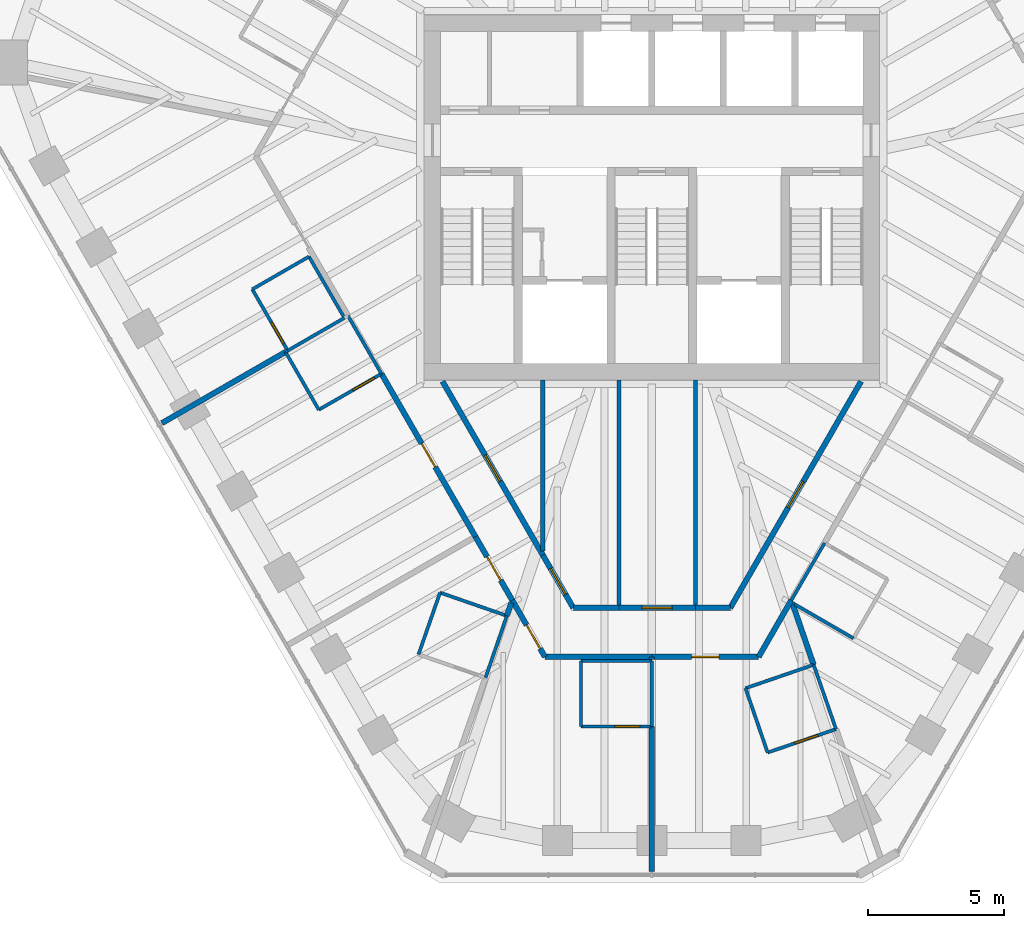
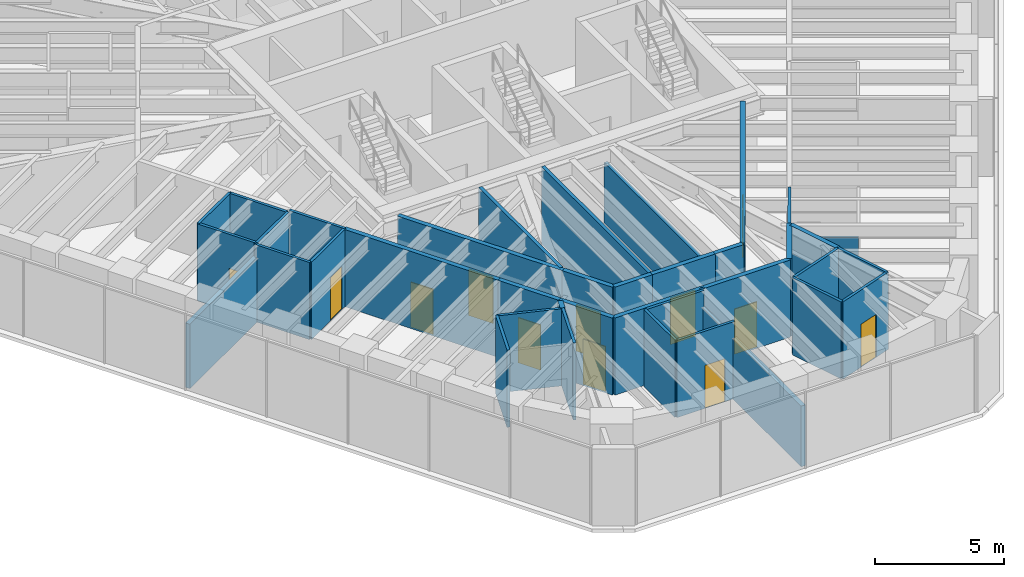
# One storey, part 9 of 14: 41 walls, 12 doors, 12 openings.
"""IFC4 building model written with IfcOpenShell, lengths in metres."""

from ifc_helpers import new_model, si_unit, direction, frame, frame_2d, origin, place, context, subcontext, project, spatial, rectangle, extrude, material, layer, layer_set, type_object, element, fill, save


model = new_model("IFC4")

# Units and contexts
model_context = context("Model", 3, precision=1e-05, world=origin(), true_north=direction((0.0, 1.0)))
body_context = subcontext(model_context, "Body", "Model", "MODEL_VIEW")
ifc_project = project(units=[si_unit("LENGTHUNIT", "METRE"), si_unit("AREAUNIT", "SQUARE_METRE"), si_unit("VOLUMEUNIT", "CUBIC_METRE"), si_unit("PLANEANGLEUNIT", "RADIAN"), si_unit("MASSUNIT", "GRAM", prefix="KILO")], contexts=[model_context])

# Site, building, storey
site_placement = place(None, origin())
site = spatial("IfcSite", under=ifc_project, at=site_placement, CompositionType="ELEMENT")
building_placement = place(site_placement, origin())
building = spatial("IfcBuilding", under=site, at=building_placement, Name="Sandreach Pilgrim Tower", CompositionType="ELEMENT")
storey_placement = place(building_placement, frame((0.0, 0.0, 276.0)))
storey = spatial("IfcBuildingStorey", under=building, at=storey_placement, Name="L69", CompositionType="ELEMENT", Elevation=276.0)

# Walls
ifc_material_1 = material(Name="Gypsum board on steel studs", Category="steel")
ifc_layer_1 = layer(ifc_material_1, 0.14990234375)
ifc_layer_set_1 = layer_set([ifc_layer_1], Name="Back of house wall 150")
wall_type_1 = type_object("IfcWallType", Name="Back of house wall 150", PredefinedType="PARTITIONING", material=ifc_layer_set_1)
wall_1_placement = place(storey_placement, frame((-4.0, -6.699951171875, 0.0), z_axis=(0.0, 0.0, 1.0), x_axis=(0.0, -1.0, 0.0)))
element("IfcWall", 1, at=wall_1_placement, inside=storey, type_object=wall_type_1, Name="Back of house wall L69-047", PredefinedType="PARTITIONING", context=body_context, shape_type="SweptSolid", body=[
    extrude(rectangle(XDim=6.26513671875, YDim=0.14990234375, at=frame_2d((3.132568359375, 0.0))), origin(), (0.0, 0.0, 1.0), 3.639892578125),
])
wall_2_placement = place(storey_placement, frame((-1.199951171875, -6.699951171875, 0.0), z_axis=(0.0, 0.0, 1.0), x_axis=(0.0, -1.0, 0.0)))
element("IfcWall", 2, at=wall_2_placement, inside=storey, type_object=wall_type_1, Name="Back of house wall L69-053", PredefinedType="PARTITIONING", context=body_context, shape_type="SweptSolid", body=[
    extrude(rectangle(XDim=8.360107421875, YDim=0.14990234375, at=frame_2d((4.18017578125, 0.0))), origin(), (0.0, 0.0, 1.0), 3.639892578125),
])
wall_3_placement = place(storey_placement, frame((1.60009765625, -6.699951171875, 0.0), z_axis=(0.0, 0.0, 1.0), x_axis=(0.0, -1.0, 0.0)))
element("IfcWall", 3, at=wall_3_placement, inside=storey, type_object=wall_type_1, Name="Back of house wall L69-061", PredefinedType="PARTITIONING", context=body_context, shape_type="SweptSolid", body=[
    extrude(rectangle(XDim=8.360107421875, YDim=0.14990234375, at=frame_2d((4.18017578125, 0.0))), origin(), (0.0, 0.0, 1.0), 2.860107421875),
])

# Wall, opening, door
ifc_material_2 = material(Name="Moisture-resistant gypsum board on steel studs", Category="steel")
ifc_layer_2 = layer(ifc_material_2, 0.1201171875)
ifc_layer_set_2 = layer_set([ifc_layer_2], Name="Bathroom partition 120")
wall_type_2 = type_object("IfcWallType", Name="Bathroom partition 120", PredefinedType="PARTITIONING", material=ifc_layer_set_2)
wall_4_placement = place(storey_placement, frame((-14.659912109375, -3.3701171875, 0.0), z_axis=(0.0, 0.0, 1.0), x_axis=(0.500291685314, -0.865856933682, 0.0)))
wall_4 = element("IfcWall", 4, at=wall_4_placement, inside=storey, type_object=wall_type_2, Name="Bathroom partition L69-005", PredefinedType="PARTITIONING", context=body_context, shape_type="SweptSolid", body=[
    extrude(rectangle(XDim=2.5986328125, YDim=0.1201171875, at=frame_2d((1.29931640625, 0.0))), origin(), (0.0, 0.0, 1.0), 3.639892578125),
])
opening_1_placement = place(wall_4_placement, frame((1.398681640625, 0.0, 0.0)))
opening_1 = element("IfcOpeningElement", 5, at=opening_1_placement, cuts=wall_4, Name="Opening D09-14B", PredefinedType="OPENING", context=body_context, shape_type="SweptSolid", body=[
    extrude(rectangle(XDim=0.89990234375, YDim=2.030029296875, at=frame_2d((0.449951171875, 1.01513671875))), frame((0.0, 0.06005859375, 0.0), z_axis=(0.0, -1.0, 0.0), x_axis=(1.0, 0.0, 0.0)), (0.0, 0.0, 1.0), 0.1201171875),
])
ifc_material_3 = material(Name="Timber door, steel frame", Category="steel")
door_type_1 = type_object("IfcDoorType", Name="Bathroom door", OperationType="SINGLE_SWING_LEFT", PredefinedType="DOOR", material=ifc_material_3)
door_1_placement = place(opening_1_placement, origin())
door_1 = element("IfcDoor", 6, at=door_1_placement, inside=storey, type_object=door_type_1, Name="Door 6914B", OperationType="SINGLE_SWING_RIGHT", OverallHeight=2.030029296875, OverallWidth=0.89990234375, PredefinedType="DOOR", context=body_context, shape_type="SweptSolid", body=[
    extrude(rectangle(XDim=0.89990234375, YDim=2.030029296875, at=frame_2d((0.449951171875, 1.01513671875))), frame((0.0, 0.02490234375, 0.0), z_axis=(0.0, -1.0, 0.0), x_axis=(1.0, 0.0, 0.0)), (0.0, 0.0, 1.0), 0.050048828125),
])
fill(opening_1, door_1)

# Walls
wall_5_placement = place(storey_placement, frame((-13.43994140625, -5.669921875, 0.0), z_axis=(0.0, 0.0, 1.0), x_axis=(0.865840118177, 0.500320786851, 0.0)))
element("IfcWall", 7, at=wall_5_placement, inside=storey, type_object=wall_type_2, Name="Bathroom partition L69-012", PredefinedType="PARTITIONING", context=body_context, shape_type="SweptSolid", body=[
    extrude(rectangle(XDim=0.09423828125, YDim=0.1201171875, at=frame_2d((0.047119140625, 0.0))), origin(), (0.0, 0.0, 1.0), 3.639892578125),
])
wall_6_placement = place(storey_placement, frame((-13.43994140625, -5.669921875, 0.0), z_axis=(0.0, 0.0, 1.0), x_axis=(0.498748634132, -0.866746675766, 0.0)))
element("IfcWall", 8, at=wall_6_placement, inside=storey, type_object=wall_type_2, Name="Bathroom partition L69-013", PredefinedType="PARTITIONING", context=body_context, shape_type="SweptSolid", body=[
    extrude(rectangle(XDim=2.446044921875, YDim=0.1201171875, at=frame_2d((1.22314453125, 0.0))), origin(), (0.0, 0.0, 1.0), 3.639892578125),
])
for number, where, z_axis, x_axis, name in (
    (9, (-13.35986328125, -5.619873046875, 0.0), (0.0, 0.0, 1.0), (0.866177122335, 0.499737123639, 0.0), "Bathroom partition L69-015"),
    (10, (-12.580078125, -2.169921875, 0.0), (0.0, 0.0, 1.0), (-0.866177122335, -0.499737123639, 0.0), "Bathroom partition L69-018"),
):
    element("IfcWall", number, at=place(storey_placement, frame(where, z_axis=z_axis, x_axis=x_axis)), inside=storey, type_object=wall_type_2, Name=name, PredefinedType="PARTITIONING", context=body_context, shape_type="SweptSolid", body=[
        extrude(rectangle(XDim=2.401123046875, YDim=0.1201171875, at=frame_2d((1.20068359375, 0.0))), origin(), (0.0, 0.0, 1.0), 3.639892578125),
    ])

# Wall, opening, door
wall_7_placement = place(storey_placement, frame((-12.219970703125, -7.7900390625, 0.0), z_axis=(0.0, 0.0, 1.0), x_axis=(0.867306827682, 0.497773911185, 0.0)))
wall_7 = element("IfcWall", 11, at=wall_7_placement, inside=storey, type_object=wall_type_2, Name="Bathroom partition L69-021", PredefinedType="PARTITIONING", context=body_context, shape_type="SweptSolid", body=[
    extrude(rectangle(XDim=2.65185546875, YDim=0.1201171875, at=frame_2d((1.325927734375, 0.0))), origin(), (0.0, 0.0, 1.0), 3.639892578125),
])
opening_2_placement = place(wall_7_placement, frame((1.451904296875, 0.0, 0.0)))
opening_2 = element("IfcOpeningElement", 12, at=opening_2_placement, cuts=wall_7, Name="Opening D09-13B", PredefinedType="OPENING", context=body_context, shape_type="SweptSolid", body=[
    extrude(rectangle(XDim=0.89990234375, YDim=2.030029296875, at=frame_2d((0.449951171875, 1.01513671875))), frame((0.0, 0.06005859375, 0.0), z_axis=(0.0, -1.0, 0.0), x_axis=(1.0, 0.0, 0.0)), (0.0, 0.0, 1.0), 0.1201171875),
])
door_2_placement = place(opening_2_placement, origin())
door_2 = element("IfcDoor", 13, at=door_2_placement, inside=storey, type_object=door_type_1, Name="Door 6913B", OperationType="SINGLE_SWING_RIGHT", OverallHeight=2.030029296875, OverallWidth=0.89990234375, PredefinedType="DOOR", context=body_context, shape_type="SweptSolid", body=[
    extrude(rectangle(XDim=0.89990234375, YDim=2.030029296875, at=frame_2d((0.449951171875, 1.01513671875))), frame((0.0, 0.02490234375, 0.0), z_axis=(0.0, -1.0, 0.0), x_axis=(1.0, 0.0, 0.0)), (0.0, 0.0, 1.0), 0.050048828125),
])
fill(opening_2, door_2)

# Walls
wall_8_placement = place(storey_placement, frame((-11.280029296875, -4.419921875, 0.0), z_axis=(0.0, 0.0, 1.0), x_axis=(-0.500291685314, 0.865856933682, 0.0)))
element("IfcWall", 14, at=wall_8_placement, inside=storey, type_object=wall_type_2, Name="Bathroom partition L69-023", PredefinedType="PARTITIONING", context=body_context, shape_type="SweptSolid", body=[
    extrude(rectangle(XDim=2.5986328125, YDim=0.1201171875, at=frame_2d((1.29931640625, 0.0))), origin(), (0.0, 0.0, 1.0), 3.639892578125),
])
wall_9_placement = place(storey_placement, frame((-11.14990234375, -4.340087890625, 0.0), z_axis=(0.0, 0.0, 1.0), x_axis=(0.500089055364, -0.86597398154, 0.0)))
element("IfcWall", 15, at=wall_9_placement, inside=storey, type_object=wall_type_2, Name="Bathroom partition L69-026", PredefinedType="PARTITIONING", context=body_context, shape_type="SweptSolid", body=[
    extrude(rectangle(XDim=2.45947265625, YDim=0.1201171875, at=frame_2d((1.229736328125, 0.0))), origin(), (0.0, 0.0, 1.0), 3.639892578125),
])
wall_10_placement = place(storey_placement, frame((-7.77001953125, -14.5, 0.0), z_axis=(0.0, 0.0, 1.0), x_axis=(-0.328693963496, -0.944436487203, 0.0)))
element("IfcWall", 16, at=wall_10_placement, inside=storey, type_object=wall_type_2, Name="Bathroom partition L69-034", PredefinedType="PARTITIONING", context=body_context, shape_type="SweptSolid", body=[
    extrude(rectangle(XDim=2.403564453125, YDim=0.1201171875, at=frame_2d((1.20166015625, 0.0))), origin(), (0.0, 0.0, 1.0), 3.639892578125),
])
wall_11_placement = place(storey_placement, frame((-6.10009765625, -17.6201171875, 0.0), z_axis=(0.0, 0.0, 1.0), x_axis=(0.325457785204, 0.945556571576, 0.0)))
element("IfcWall", 17, at=wall_11_placement, inside=storey, type_object=wall_type_2, Name="Bathroom partition L69-036", PredefinedType="PARTITIONING", context=body_context, shape_type="SweptSolid", body=[
    extrude(rectangle(XDim=2.400390625, YDim=0.1201171875, at=frame_2d((1.2001953125, 0.0))), origin(), (0.0, 0.0, 1.0), 3.639892578125),
])
wall_12_placement = place(storey_placement, frame((-5.320068359375, -15.35009765625, 0.0), z_axis=(0.0, 0.0, 1.0), x_axis=(-0.944742926852, 0.327812144624, 0.0)))
element("IfcWall", 18, at=wall_12_placement, inside=storey, type_object=wall_type_2, Name="Bathroom partition L69-043", PredefinedType="PARTITIONING", context=body_context, shape_type="SweptSolid", body=[
    extrude(rectangle(XDim=2.59326171875, YDim=0.1201171875, at=frame_2d((1.296630859375, 0.0))), origin(), (0.0, 0.0, 1.0), 3.639892578125),
])

# Wall, opening, door
wall_13_placement = place(storey_placement, frame((-2.60009765625, -19.409912109375, 0.0), z_axis=(0.0, 0.0, 1.0), x_axis=(1.0, 0.0, 0.0)))
wall_13 = element("IfcWall", 19, at=wall_13_placement, inside=storey, type_object=wall_type_2, Name="Bathroom partition L69-050", PredefinedType="PARTITIONING", context=body_context, shape_type="SweptSolid", body=[
    extrude(rectangle(XDim=2.60009765625, YDim=0.1201171875, at=frame_2d((1.300048828125, 0.0))), origin(), (0.0, 0.0, 1.0), 3.639892578125),
])
opening_3_placement = place(wall_13_placement, frame((1.25, 0.0, 0.0)))
opening_3 = element("IfcOpeningElement", 20, at=opening_3_placement, cuts=wall_13, Name="Opening D09-11B", PredefinedType="OPENING", context=body_context, shape_type="SweptSolid", body=[
    extrude(rectangle(XDim=0.89990234375, YDim=2.030029296875, at=frame_2d((0.449951171875, 1.01513671875))), frame((0.0, 0.06005859375, 0.0), z_axis=(0.0, -1.0, 0.0), x_axis=(1.0, 0.0, 0.0)), (0.0, 0.0, 1.0), 0.1201171875),
])
door_3_placement = place(opening_3_placement, origin())
door_3 = element("IfcDoor", 21, at=door_3_placement, inside=storey, type_object=door_type_1, Name="Door 6911B", OperationType="SINGLE_SWING_RIGHT", OverallHeight=2.030029296875, OverallWidth=0.89990234375, PredefinedType="DOOR", context=body_context, shape_type="SweptSolid", body=[
    extrude(rectangle(XDim=0.89990234375, YDim=2.030029296875, at=frame_2d((0.449951171875, 1.01513671875))), frame((0.0, 0.02490234375, 0.0), z_axis=(0.0, -1.0, 0.0), x_axis=(1.0, 0.0, 0.0)), (0.0, 0.0, 1.0), 0.050048828125),
])
fill(opening_3, door_3)

# Walls
wall_14_placement = place(storey_placement, frame((-2.60009765625, -17.010009765625, 0.0), z_axis=(0.0, 0.0, 1.0), x_axis=(0.0, -1.0, 0.0)))
element("IfcWall", 22, at=wall_14_placement, inside=storey, type_object=wall_type_2, Name="Bathroom partition L69-051", PredefinedType="PARTITIONING", context=body_context, shape_type="SweptSolid", body=[
    extrude(rectangle(XDim=2.39990234375, YDim=0.1201171875, at=frame_2d((1.199951171875, 0.0))), origin(), (0.0, 0.0, 1.0), 3.639892578125),
])
wall_15_placement = place(storey_placement, frame((0.0, -19.409912109375, 0.0), z_axis=(0.0, 0.0, 1.0), x_axis=(0.0, 1.0, 0.0)))
element("IfcWall", 23, at=wall_15_placement, inside=storey, type_object=wall_type_2, Name="Bathroom partition L69-056", PredefinedType="PARTITIONING", context=body_context, shape_type="SweptSolid", body=[
    extrude(rectangle(XDim=2.39990234375, YDim=0.1201171875, at=frame_2d((1.199951171875, 0.0))), origin(), (0.0, 0.0, 1.0), 2.860107421875),
])
wall_16_placement = place(storey_placement, frame((0.0, -17.010009765625, 0.0), z_axis=(0.0, 0.0, 1.0), x_axis=(-1.0, 0.0, 0.0)))
element("IfcWall", 24, at=wall_16_placement, inside=storey, type_object=wall_type_2, Name="Bathroom partition L69-057", PredefinedType="PARTITIONING", context=body_context, shape_type="SweptSolid", body=[
    extrude(rectangle(XDim=2.60009765625, YDim=0.1201171875, at=frame_2d((1.300048828125, 0.0))), origin(), (0.0, 0.0, 1.0), 3.639892578125),
])
wall_17_placement = place(storey_placement, frame((3.43994140625, -18.010009765625, 0.0), z_axis=(0.0, 0.0, 1.0), x_axis=(0.324669532971, -0.945827518293, 0.0)))
element("IfcWall", 25, at=wall_17_placement, inside=storey, type_object=wall_type_2, Name="Bathroom partition L69-067", PredefinedType="PARTITIONING", context=body_context, shape_type="SweptSolid", body=[
    extrude(rectangle(XDim=2.4951171875, YDim=0.1201171875, at=frame_2d((1.24755859375, 0.0))), origin(), (0.0, 0.0, 1.0), 3.639892578125),
])

# Wall, opening, door
wall_18_placement = place(storey_placement, frame((4.25, -20.3701171875, 0.0), z_axis=(0.0, 0.0, 1.0), x_axis=(0.945999971947, 0.324166705687, 0.0)))
wall_18 = element("IfcWall", 26, at=wall_18_placement, inside=storey, type_object=wall_type_2, Name="Bathroom partition L69-069", PredefinedType="PARTITIONING", context=body_context, shape_type="SweptSolid", body=[
    extrude(rectangle(XDim=2.6533203125, YDim=0.1201171875, at=frame_2d((1.32666015625, 0.0))), origin(), (0.0, 0.0, 1.0), 3.639892578125),
])
opening_4_placement = place(wall_18_placement, frame((1.050048828125, 0.0, 0.0)))
opening_4 = element("IfcOpeningElement", 27, at=opening_4_placement, cuts=wall_18, Name="Opening D09-10B", PredefinedType="OPENING", context=body_context, shape_type="SweptSolid", body=[
    extrude(rectangle(XDim=0.89990234375, YDim=2.030029296875, at=frame_2d((0.449951171875, 1.01513671875))), frame((0.0, 0.06005859375, 0.0), z_axis=(0.0, -1.0, 0.0), x_axis=(1.0, 0.0, 0.0)), (0.0, 0.0, 1.0), 0.1201171875),
])
door_4_placement = place(opening_4_placement, origin())
door_4 = element("IfcDoor", 28, at=door_4_placement, inside=storey, type_object=door_type_1, Name="Door 6910B", OperationType="SINGLE_SWING_RIGHT", OverallHeight=2.030029296875, OverallWidth=0.89990234375, PredefinedType="DOOR", context=body_context, shape_type="SweptSolid", body=[
    extrude(rectangle(XDim=0.89990234375, YDim=2.030029296875, at=frame_2d((0.449951171875, 1.01513671875))), frame((0.0, 0.02490234375, 0.0), z_axis=(0.0, -1.0, 0.0), x_axis=(1.0, 0.0, 0.0)), (0.0, 0.0, 1.0), 0.050048828125),
])
fill(opening_4, door_4)

# Walls
wall_19_placement = place(storey_placement, frame((5.1201171875, -14.780029296875, 0.0), z_axis=(0.0, 0.0, 1.0), x_axis=(0.502307685327, 0.86468895521, 0.0)))
element("IfcWall", 29, at=wall_19_placement, inside=storey, type_object=wall_type_2, Name="Bathroom partition L69-072", PredefinedType="PARTITIONING", context=body_context, shape_type="SweptSolid", body=[
    extrude(rectangle(XDim=2.4287109375, YDim=0.1201171875, at=frame_2d((1.21435546875, 0.0))), origin(), (0.0, 0.0, 1.0), 3.639892578125),
])
wall_20_placement = place(storey_placement, frame((5.23779296875, -14.92529296875, 0.0), z_axis=(0.0, 0.0, 1.0), x_axis=(0.864924354574, -0.501902242339, 0.0)))
element("IfcWall", 30, at=wall_20_placement, inside=storey, type_object=wall_type_2, Name="Bathroom partition L69-074", PredefinedType="PARTITIONING", context=body_context, shape_type="SweptSolid", body=[
    extrude(rectangle(XDim=2.499755859375, YDim=0.1201171875, at=frame_2d((1.25, 0.0))), origin(), (0.0, 0.0, 1.0), 3.0380859375),
])
wall_21_placement = place(storey_placement, frame((5.93994140625, -17.14990234375, 0.0), z_axis=(0.0, 0.0, 1.0), x_axis=(-0.945601400786, -0.32532751318, 0.0)))
element("IfcWall", 31, at=wall_21_placement, inside=storey, type_object=wall_type_2, Name="Bathroom partition L69-075", PredefinedType="PARTITIONING", context=body_context, shape_type="SweptSolid", body=[
    extrude(rectangle(XDim=2.643798828125, YDim=0.1201171875, at=frame_2d((1.32177734375, 0.0))), origin(), (0.0, 0.0, 1.0), 3.639892578125),
])
wall_22_placement = place(storey_placement, frame((5.93994140625, -17.14990234375, 0.0), z_axis=(0.0, 0.0, 1.0), x_axis=(0.32822120494, -0.944600889597, 0.0)))
element("IfcWall", 32, at=wall_22_placement, inside=storey, type_object=wall_type_2, Name="Bathroom partition L69-076", PredefinedType="PARTITIONING", context=body_context, shape_type="SweptSolid", body=[
    extrude(rectangle(XDim=2.49853515625, YDim=0.1201171875, at=frame_2d((1.249267578125, 0.0))), origin(), (0.0, 0.0, 1.0), 3.639892578125),
])

# Wall, opening, door
ifc_material_4 = material(Name="Gypsum board on steel studs, two layers each side", Category="steel")
ifc_layer_3 = layer(ifc_material_4, 0.199951171875)
ifc_layer_set_3 = layer_set([ifc_layer_3], Name="Corridor wall 200")
wall_type_3 = type_object("IfcWallType", Name="Corridor wall 200", PredefinedType="PARTITIONING", material=ifc_layer_set_3)
wall_23_placement = place(storey_placement, frame((-9.919921875, -6.469970703125, 0.0), z_axis=(0.0, 0.0, 1.0), x_axis=(0.499718371597, -0.866187940974, 0.0)))
wall_23 = element("IfcWall", 33, at=wall_23_placement, inside=storey, type_object=wall_type_3, Name="Corridor wall L69-027", PredefinedType="PARTITIONING", context=body_context, shape_type="SweptSolid", body=[
    extrude(rectangle(XDim=6.90380859375, YDim=0.199951171875, at=frame_2d((3.451904296875, 0.0))), origin(), (0.0, 0.0, 1.0), 3.639892578125),
])
opening_5_placement = place(wall_23_placement, frame((2.951904296875, 0.0, 0.0)))
opening_5 = element("IfcOpeningElement", 34, at=opening_5_placement, cuts=wall_23, Name="Opening D10-13", PredefinedType="OPENING", context=body_context, shape_type="SweptSolid", body=[
    extrude(rectangle(XDim=1.0, YDim=2.1298828125, at=frame_2d((0.5, 1.06494140625))), frame((0.0, 0.10009765625, 0.0), z_axis=(0.0, -1.0, 0.0), x_axis=(1.0, 0.0, 0.0)), (0.0, 0.0, 1.0), 0.199951171875),
])
ifc_material_5 = material(Name="Steel door and frame", Category="steel")
door_type_2 = type_object("IfcDoorType", Name="Guest room entry door", OperationType="SINGLE_SWING_LEFT", PredefinedType="DOOR", material=ifc_material_5)
door_5_placement = place(opening_5_placement, origin())
door_5 = element("IfcDoor", 35, at=door_5_placement, inside=storey, type_object=door_type_2, Name="Door 6913", OperationType="SINGLE_SWING_LEFT", OverallHeight=2.1298828125, OverallWidth=1.0, PredefinedType="DOOR", context=body_context, shape_type="SweptSolid", body=[
    extrude(rectangle(XDim=1.0, YDim=2.1298828125, at=frame_2d((0.5, 1.06494140625))), frame((0.0, 0.02490234375, 0.0), z_axis=(0.0, -1.0, 0.0), x_axis=(1.0, 0.0, 0.0)), (0.0, 0.0, 1.0), 0.050048828125),
])
fill(opening_5, door_5)

wall_24_placement = place(storey_placement, frame((-6.469970703125, -12.449951171875, 0.0), z_axis=(0.0, 0.0, 1.0), x_axis=(0.501275699481, -0.865287624498, 0.0)))
wall_24 = element("IfcWall", 36, at=wall_24_placement, inside=storey, type_object=wall_type_3, Name="Corridor wall L69-035", PredefinedType="PARTITIONING", context=body_context, shape_type="SweptSolid", body=[
    extrude(rectangle(XDim=2.69287109375, YDim=0.199951171875, at=frame_2d((1.346435546875, 0.0))), origin(), (0.0, 0.0, 1.0), 3.639892578125),
])
opening_6_placement = place(wall_24_placement, frame((0.846435546875, 0.0, 0.0)))
opening_6 = element("IfcOpeningElement", 37, at=opening_6_placement, cuts=wall_24, Name="Opening D10-12", PredefinedType="OPENING", context=body_context, shape_type="SweptSolid", body=[
    extrude(rectangle(XDim=1.0, YDim=2.1298828125, at=frame_2d((0.5, 1.06494140625))), frame((0.0, 0.10009765625, 0.0), z_axis=(0.0, -1.0, 0.0), x_axis=(1.0, 0.0, 0.0)), (0.0, 0.0, 1.0), 0.199951171875),
])
door_6_placement = place(opening_6_placement, origin())
door_6 = element("IfcDoor", 38, at=door_6_placement, inside=storey, type_object=door_type_2, Name="Door 6912", OperationType="SINGLE_SWING_LEFT", OverallHeight=2.1298828125, OverallWidth=1.0, PredefinedType="DOOR", context=body_context, shape_type="SweptSolid", body=[
    extrude(rectangle(XDim=1.0, YDim=2.1298828125, at=frame_2d((0.5, 1.06494140625))), frame((0.0, 0.02490234375, 0.0), z_axis=(0.0, -1.0, 0.0), x_axis=(1.0, 0.0, 0.0)), (0.0, 0.0, 1.0), 0.050048828125),
])
fill(opening_6, door_6)

wall_25_placement = place(storey_placement, frame((-5.1201171875, -14.780029296875, 0.0), z_axis=(0.0, 0.0, 1.0), x_axis=(0.499813401482, -0.866133109688, 0.0)))
wall_25 = element("IfcWall", 39, at=wall_25_placement, inside=storey, type_object=wall_type_3, Name="Corridor wall L69-045", PredefinedType="PARTITIONING", context=body_context, shape_type="SweptSolid", body=[
    extrude(rectangle(XDim=2.4013671875, YDim=0.199951171875, at=frame_2d((1.20068359375, 0.0))), origin(), (0.0, 0.0, 1.0), 3.639892578125),
])
opening_7_placement = place(wall_25_placement, frame((1.050048828125, 0.0, 0.0)))
opening_7 = element("IfcOpeningElement", 40, at=opening_7_placement, cuts=wall_25, Name="Opening D10-11", PredefinedType="OPENING", context=body_context, shape_type="SweptSolid", body=[
    extrude(rectangle(XDim=1.0, YDim=2.1298828125, at=frame_2d((0.5, 1.06494140625))), frame((0.0, 0.10009765625, 0.0), z_axis=(0.0, -1.0, 0.0), x_axis=(1.0, 0.0, 0.0)), (0.0, 0.0, 1.0), 0.199951171875),
])
door_7_placement = place(opening_7_placement, origin())
door_7 = element("IfcDoor", 41, at=door_7_placement, inside=storey, type_object=door_type_2, Name="Door 6911", OperationType="SINGLE_SWING_RIGHT", OverallHeight=2.1298828125, OverallWidth=1.0, PredefinedType="DOOR", context=body_context, shape_type="SweptSolid", body=[
    extrude(rectangle(XDim=1.0, YDim=2.1298828125, at=frame_2d((0.5, 1.06494140625))), frame((0.0, 0.02490234375, 0.0), z_axis=(0.0, -1.0, 0.0), x_axis=(1.0, 0.0, 0.0)), (0.0, 0.0, 1.0), 0.050048828125),
])
fill(opening_7, door_7)

wall_26_placement = place(storey_placement, frame((-4.0, -13.1201171875, 0.0), z_axis=(0.0, 0.0, 1.0), x_axis=(-0.500218436225, 0.865899252835, 0.0)))
wall_26 = element("IfcWall", 42, at=wall_26_placement, inside=storey, type_object=wall_type_3, Name="Corridor wall L69-046", PredefinedType="PARTITIONING", context=body_context, shape_type="SweptSolid", body=[
    extrude(rectangle(XDim=7.356689453125, YDim=0.199951171875, at=frame_2d((3.67822265625, 0.0))), origin(), (0.0, 0.0, 1.0), 3.639892578125),
])
opening_8_placement = place(wall_26_placement, frame((3.12841796875, 0.0, 0.0)))
opening_8 = element("IfcOpeningElement", 43, at=opening_8_placement, cuts=wall_26, Name="Opening D11H-S1", PredefinedType="OPENING", context=body_context, shape_type="SweptSolid", body=[
    extrude(rectangle(XDim=1.10009765625, YDim=2.199951171875, at=frame_2d((0.550048828125, 1.10009765625))), frame((0.0, 0.10009765625, 0.0), z_axis=(0.0, -1.0, 0.0), x_axis=(1.0, 0.0, 0.0)), (0.0, 0.0, 1.0), 0.199951171875),
])
ifc_material_6 = material(Name="Steel door and frame", Category="steel")
door_type_3 = type_object("IfcDoorType", Name="Back of house door", OperationType="SINGLE_SWING_LEFT", PredefinedType="DOOR", material=ifc_material_6)
door_8_placement = place(opening_8_placement, origin())
door_8 = element("IfcDoor", 44, at=door_8_placement, inside=storey, type_object=door_type_3, Name="Door 69S1", OperationType="SINGLE_SWING_LEFT", OverallHeight=2.199951171875, OverallWidth=1.10009765625, PredefinedType="DOOR", context=body_context, shape_type="SweptSolid", body=[
    extrude(rectangle(XDim=1.10009765625, YDim=2.199951171875, at=frame_2d((0.550048828125, 1.10009765625))), frame((0.0, 0.02490234375, 0.0), z_axis=(0.0, -1.0, 0.0), x_axis=(1.0, 0.0, 0.0)), (0.0, 0.0, 1.0), 0.050048828125),
])
fill(opening_8, door_8)

# Wall
wall_27_placement = place(storey_placement, frame((-3.919921875, -16.860107421875, 0.0), z_axis=(0.0, 0.0, 1.0), x_axis=(1.0, 0.0, 0.0)))
element("IfcWall", 45, at=wall_27_placement, inside=storey, type_object=wall_type_3, Name="Corridor wall L69-048", PredefinedType="PARTITIONING", context=body_context, shape_type="SweptSolid", body=[
    extrude(rectangle(XDim=3.919921875, YDim=0.199951171875, at=frame_2d((1.9599609375, 0.0))), origin(), (0.0, 0.0, 1.0), 3.639892578125),
])

# Wall, opening, door
wall_28_placement = place(storey_placement, frame((-2.8798828125, -15.06005859375, 0.0), z_axis=(0.0, 0.0, 1.0), x_axis=(-0.499983441833, 0.866034963436, 0.0)))
wall_28 = element("IfcWall", 46, at=wall_28_placement, inside=storey, type_object=wall_type_3, Name="Corridor wall L69-049", PredefinedType="PARTITIONING", context=body_context, shape_type="SweptSolid", body=[
    extrude(rectangle(XDim=2.240234375, YDim=0.199951171875, at=frame_2d((1.1201171875, 0.0))), origin(), (0.0, 0.0, 1.0), 3.639892578125),
])
opening_9_placement = place(wall_28_placement, frame((0.570068359375, 0.0, 0.0)))
opening_9 = element("IfcOpeningElement", 47, at=opening_9_placement, cuts=wall_28, Name="Opening D11H-S2", PredefinedType="OPENING", context=body_context, shape_type="SweptSolid", body=[
    extrude(rectangle(XDim=1.10009765625, YDim=2.199951171875, at=frame_2d((0.550048828125, 1.10009765625))), frame((0.0, 0.10009765625, 0.0), z_axis=(0.0, -1.0, 0.0), x_axis=(1.0, 0.0, 0.0)), (0.0, 0.0, 1.0), 0.199951171875),
])
door_9_placement = place(opening_9_placement, origin())
door_9 = element("IfcDoor", 48, at=door_9_placement, inside=storey, type_object=door_type_3, Name="Door 69S2", OperationType="SINGLE_SWING_LEFT", OverallHeight=2.199951171875, OverallWidth=1.10009765625, PredefinedType="DOOR", context=body_context, shape_type="SweptSolid", body=[
    extrude(rectangle(XDim=1.10009765625, YDim=2.199951171875, at=frame_2d((0.550048828125, 1.10009765625))), frame((0.0, 0.02490234375, 0.0), z_axis=(0.0, -1.0, 0.0), x_axis=(1.0, 0.0, 0.0)), (0.0, 0.0, 1.0), 0.050048828125),
])
fill(opening_9, door_9)

# Wall
wall_29_placement = place(storey_placement, frame((-1.199951171875, -15.06005859375, 0.0), z_axis=(0.0, 0.0, 1.0), x_axis=(-1.0, 0.0, 0.0)))
element("IfcWall", 49, at=wall_29_placement, inside=storey, type_object=wall_type_3, Name="Corridor wall L69-052", PredefinedType="PARTITIONING", context=body_context, shape_type="SweptSolid", body=[
    extrude(rectangle(XDim=1.679931640625, YDim=0.199951171875, at=frame_2d((0.83984375, 0.0))), origin(), (0.0, 0.0, 1.0), 3.639892578125),
])

# Wall, opening, door
wall_30_placement = place(storey_placement, frame((0.0, -16.860107421875, 0.0), z_axis=(0.0, 0.0, 1.0), x_axis=(1.0, 0.0, 0.0)))
wall_30 = element("IfcWall", 50, at=wall_30_placement, inside=storey, type_object=wall_type_3, Name="Corridor wall L69-059", PredefinedType="PARTITIONING", context=body_context, shape_type="SweptSolid", body=[
    extrude(rectangle(XDim=3.919921875, YDim=0.199951171875, at=frame_2d((1.9599609375, 0.0))), origin(), (0.0, 0.0, 1.0), 3.639892578125),
])
opening_10_placement = place(wall_30_placement, frame((1.4599609375, 0.0, 0.0)))
opening_10 = element("IfcOpeningElement", 51, at=opening_10_placement, cuts=wall_30, Name="Opening D10-10", PredefinedType="OPENING", context=body_context, shape_type="SweptSolid", body=[
    extrude(rectangle(XDim=1.0, YDim=2.1298828125, at=frame_2d((0.5, 1.06494140625))), frame((0.0, 0.10009765625, 0.0), z_axis=(0.0, -1.0, 0.0), x_axis=(1.0, 0.0, 0.0)), (0.0, 0.0, 1.0), 0.199951171875),
])
door_10_placement = place(opening_10_placement, origin())
door_10 = element("IfcDoor", 52, at=door_10_placement, inside=storey, type_object=door_type_2, Name="Door 6910", OperationType="SINGLE_SWING_LEFT", OverallHeight=2.1298828125, OverallWidth=1.0, PredefinedType="DOOR", context=body_context, shape_type="SweptSolid", body=[
    extrude(rectangle(XDim=1.0, YDim=2.1298828125, at=frame_2d((0.5, 1.06494140625))), frame((0.0, 0.02490234375, 0.0), z_axis=(0.0, -1.0, 0.0), x_axis=(1.0, 0.0, 0.0)), (0.0, 0.0, 1.0), 0.050048828125),
])
fill(opening_10, door_10)

wall_31_placement = place(storey_placement, frame((1.60009765625, -15.06005859375, 0.0), z_axis=(0.0, 0.0, 1.0), x_axis=(-1.0, 0.0, 0.0)))
wall_31 = element("IfcWall", 53, at=wall_31_placement, inside=storey, type_object=wall_type_3, Name="Corridor wall L69-060", PredefinedType="PARTITIONING", context=body_context, shape_type="SweptSolid", body=[
    extrude(rectangle(XDim=2.800048828125, YDim=0.199951171875, at=frame_2d((1.39990234375, 0.0))), origin(), (0.0, 0.0, 1.0), 3.639892578125),
])
opening_11_placement = place(wall_31_placement, frame((0.85009765625, 0.0, 0.0)))
opening_11 = element("IfcOpeningElement", 54, at=opening_11_placement, cuts=wall_31, Name="Opening D11H-S3", PredefinedType="OPENING", context=body_context, shape_type="SweptSolid", body=[
    extrude(rectangle(XDim=1.10009765625, YDim=2.199951171875, at=frame_2d((0.550048828125, 1.10009765625))), frame((0.0, 0.10009765625, 0.0), z_axis=(0.0, -1.0, 0.0), x_axis=(1.0, 0.0, 0.0)), (0.0, 0.0, 1.0), 0.199951171875),
])
door_11_placement = place(opening_11_placement, origin())
door_11 = element("IfcDoor", 55, at=door_11_placement, inside=storey, type_object=door_type_3, Name="Door 69S3", OperationType="SINGLE_SWING_LEFT", OverallHeight=2.199951171875, OverallWidth=1.10009765625, PredefinedType="DOOR", context=body_context, shape_type="SweptSolid", body=[
    extrude(rectangle(XDim=1.10009765625, YDim=2.199951171875, at=frame_2d((0.550048828125, 1.10009765625))), frame((0.0, 0.02490234375, 0.0), z_axis=(0.0, -1.0, 0.0), x_axis=(1.0, 0.0, 0.0)), (0.0, 0.0, 1.0), 0.050048828125),
])
fill(opening_11, door_11)

# Walls
wall_32_placement = place(storey_placement, frame((2.8798828125, -15.06005859375, 0.0), z_axis=(0.0, 0.0, 1.0), x_axis=(-1.0, 0.0, 0.0)))
element("IfcWall", 56, at=wall_32_placement, inside=storey, type_object=wall_type_3, Name="Corridor wall L69-066", PredefinedType="PARTITIONING", context=body_context, shape_type="SweptSolid", body=[
    extrude(rectangle(XDim=1.27978515625, YDim=0.199951171875, at=frame_2d((0.639892578125, 0.0))), origin(), (0.0, 0.0, 1.0), 3.639892578125),
])
wall_33_placement = place(storey_placement, frame((3.919921875, -16.860107421875, 0.0), z_axis=(0.0, 0.0, 1.0), x_axis=(0.499693115345, 0.866202511239, 0.0)))
element("IfcWall", 57, at=wall_33_placement, inside=storey, type_object=wall_type_3, Name="Corridor wall L69-068", PredefinedType="PARTITIONING", context=body_context, shape_type="SweptSolid", body=[
    extrude(rectangle(XDim=2.4013671875, YDim=0.199951171875, at=frame_2d((1.20068359375, 0.0))), origin(), (0.0, 0.0, 1.0), 3.639892578125),
])

# Wall, opening, door
wall_34_placement = place(storey_placement, frame((7.679931640625, -6.75, 0.0), z_axis=(0.0, 0.0, 1.0), x_axis=(-0.500174600737, -0.865924574532, 0.0)))
wall_34 = element("IfcWall", 58, at=wall_34_placement, inside=storey, type_object=wall_type_3, Name="Corridor wall L69-088", PredefinedType="PARTITIONING", context=body_context, shape_type="SweptSolid", body=[
    extrude(rectangle(XDim=9.5966796875, YDim=0.199951171875, at=frame_2d((4.79833984375, 0.0))), origin(), (0.0, 0.0, 1.0), 3.639892578125),
])
opening_12_placement = place(wall_34_placement, frame((4.248291015625, 0.0, 0.0)))
opening_12 = element("IfcOpeningElement", 59, at=opening_12_placement, cuts=wall_34, Name="Opening D11H-S4", PredefinedType="OPENING", context=body_context, shape_type="SweptSolid", body=[
    extrude(rectangle(XDim=1.10009765625, YDim=2.199951171875, at=frame_2d((0.550048828125, 1.10009765625))), frame((0.0, 0.10009765625, 0.0), z_axis=(0.0, -1.0, 0.0), x_axis=(1.0, 0.0, 0.0)), (0.0, 0.0, 1.0), 0.199951171875),
])
door_12_placement = place(opening_12_placement, origin())
door_12 = element("IfcDoor", 60, at=door_12_placement, inside=storey, type_object=door_type_3, Name="Door 69S4", OperationType="SINGLE_SWING_LEFT", OverallHeight=2.199951171875, OverallWidth=1.10009765625, PredefinedType="DOOR", context=body_context, shape_type="SweptSolid", body=[
    extrude(rectangle(XDim=1.10009765625, YDim=2.199951171875, at=frame_2d((0.550048828125, 1.10009765625))), frame((0.0, 0.02490234375, 0.0), z_axis=(0.0, -1.0, 0.0), x_axis=(1.0, 0.0, 0.0)), (0.0, 0.0, 1.0), 0.050048828125),
])
fill(opening_12, door_12)

# Walls
ifc_material_7 = material(Name="Double steel stud acoustic wall, gypsum board", Category="steel")
ifc_layer_4 = layer(ifc_material_7, 0.199951171875)
ifc_layer_set_4 = layer_set([ifc_layer_4], Name="Party wall 200")
wall_type_4 = type_object("IfcWallType", Name="Party wall 200", PredefinedType="PARTITIONING", material=ifc_layer_set_4)
wall_35_placement = place(storey_placement, frame((-17.97607421875, -8.280029296875, 0.0), z_axis=(0.0, 0.0, 1.0), x_axis=(0.866755072818, 0.498734041092, 0.0)))
element("IfcWall", 61, at=wall_35_placement, inside=storey, type_object=wall_type_4, Name="Party wall L69-003", PredefinedType="PARTITIONING", context=body_context, shape_type="SweptSolid", body=[
    extrude(rectangle(XDim=5.2333984375, YDim=0.199951171875, at=frame_2d((2.61669921875, 0.0))), origin(), (0.0, 0.0, 1.0), 3.0380859375),
])
wall_36_placement = place(storey_placement, frame((-5.31884765625, -15.350341796875, 0.0), z_axis=(0.0, 0.0, 1.0), x_axis=(0.329422375526, 0.944182661619, 0.0)))
element("IfcWall", 62, at=wall_36_placement, inside=storey, type_object=wall_type_4, Name="Party wall L69-044", PredefinedType="PARTITIONING", context=body_context, shape_type="SweptSolid", body=[
    extrude(rectangle(XDim=0.50390625, YDim=0.199951171875, at=frame_2d((0.251953125, 0.0))), origin(), (0.0, 0.0, 1.0), 3.639892578125),
])
wall_37_placement = place(storey_placement, frame((0.0, -24.739990234375, 0.0), z_axis=(0.0, 0.0, 1.0), x_axis=(0.0, 1.0, 0.0)))
element("IfcWall", 63, at=wall_37_placement, inside=storey, type_object=wall_type_4, Name="Party wall L69-055", PredefinedType="PARTITIONING", context=body_context, shape_type="SweptSolid", body=[
    extrude(rectangle(XDim=5.330078125, YDim=0.199951171875, at=frame_2d((2.6650390625, 0.0))), origin(), (0.0, 0.0, 1.0), 2.860107421875),
])
wall_38_placement = place(storey_placement, frame((0.0, -16.949951171875, 0.0), z_axis=(0.0, 0.0, 1.0), x_axis=(0.0, 1.0, 0.0)))
element("IfcWall", 64, at=wall_38_placement, inside=storey, type_object=wall_type_4, Name="Party wall L69-058", PredefinedType="PARTITIONING", context=body_context, shape_type="SweptSolid", body=[
    extrude(rectangle(XDim=0.08984375, YDim=0.199951171875, at=frame_2d((0.044921875, 0.0))), origin(), (0.0, 0.0, 1.0), 3.639892578125),
])
wall_39_placement = place(storey_placement, frame((5.1552734375, -14.881591796875, 0.0), z_axis=(0.0, 0.0, 1.0), x_axis=(0.326918410097, -0.945052566337, 0.0)))
element("IfcWall", 65, at=wall_39_placement, inside=storey, type_object=wall_type_4, Name="Party wall L69-073", PredefinedType="PARTITIONING", context=body_context, shape_type="SweptSolid", body=[
    extrude(rectangle(XDim=2.400146484375, YDim=0.199951171875, at=frame_2d((1.2001953125, 0.0))), origin(), (0.0, 0.0, 1.0), 3.639892578125),
])

save(model, "model.ifc")
